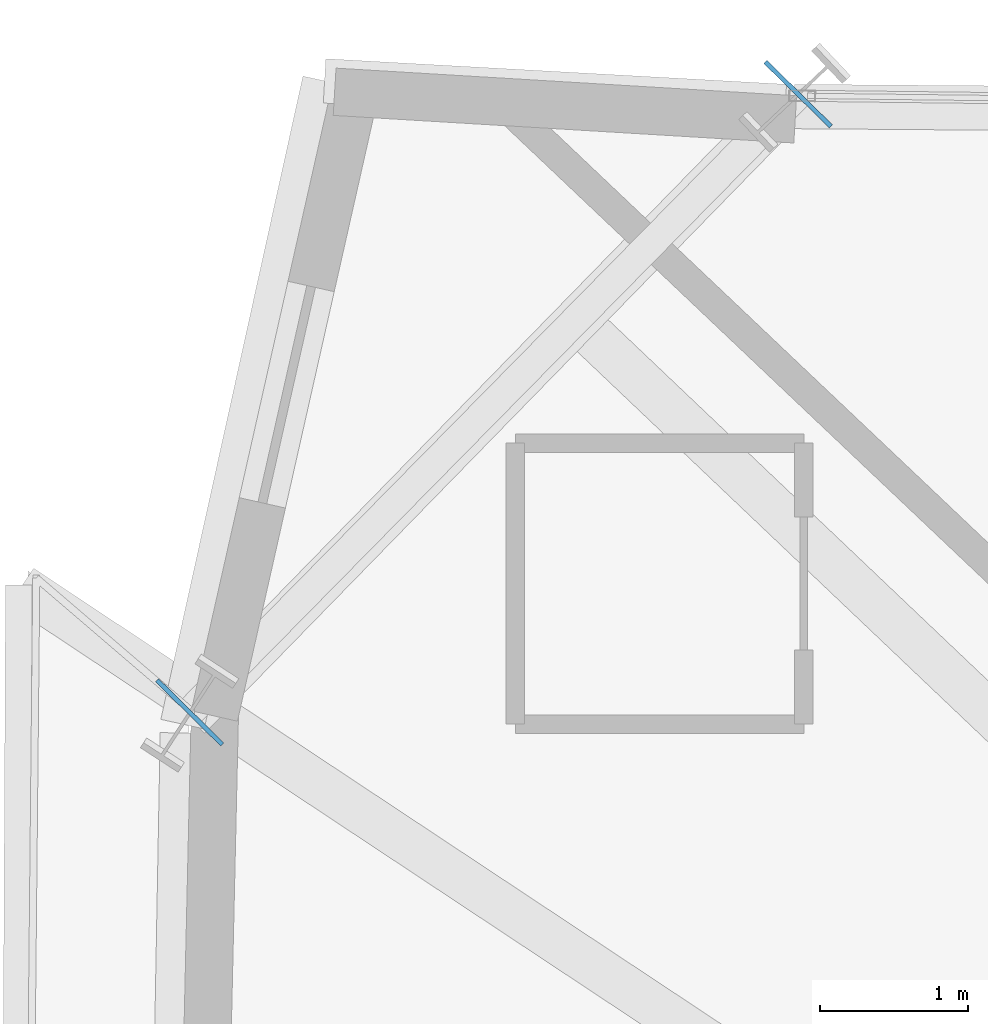
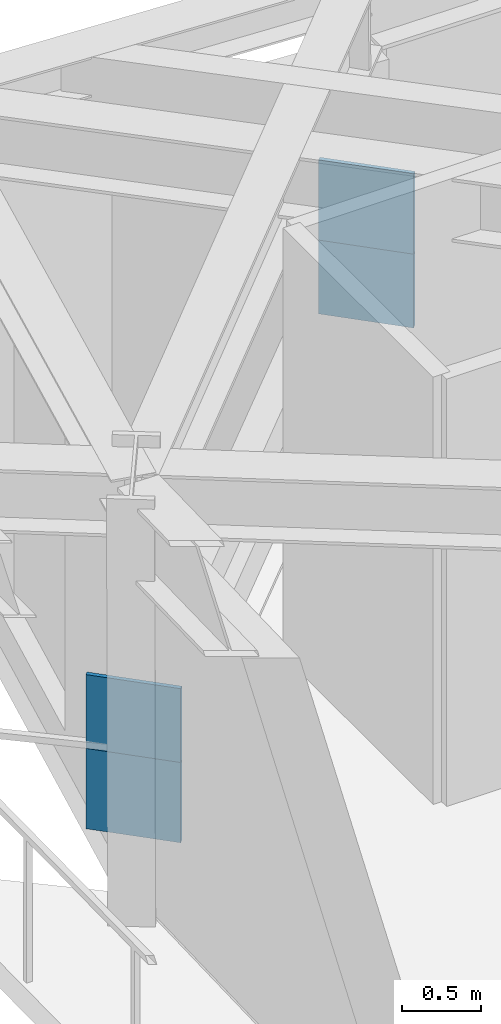
# One storey, part 12 of 21: 4 plates.
"""IFC4 building model written with IfcOpenShell, lengths in metres."""

from ifc_helpers import new_model, si_unit, direction, frame, origin, origin_2d, place, context, subcontext, project, spatial, rectangle, extrude, source, transform, mapped, material, type_object, element, save


model = new_model("IFC4")

# Units and contexts
model_context = context("Model", 3, precision=1e-05, world=origin(), true_north=direction((0.0, 1.0)))
body_context = subcontext(model_context, "Body", "Model", "MODEL_VIEW")
ifc_project = project(units=[si_unit("LENGTHUNIT", "METRE"), si_unit("AREAUNIT", "SQUARE_METRE"), si_unit("VOLUMEUNIT", "CUBIC_METRE"), si_unit("PLANEANGLEUNIT", "RADIAN"), si_unit("MASSUNIT", "GRAM", prefix="KILO")], contexts=[model_context])

# Site, building, storey
site_placement = place(None, origin())
site = spatial("IfcSite", under=ifc_project, at=site_placement, CompositionType="ELEMENT")
building_placement = place(site_placement, origin())
building = spatial("IfcBuilding", under=site, at=building_placement, Name="Olszyna Solenne Hotel", CompositionType="ELEMENT")
storey_placement = place(building_placement, frame((0.0, 0.0, 91.5)))
storey = spatial("IfcBuildingStorey", under=building, at=storey_placement, Name="L23", CompositionType="ELEMENT", Elevation=91.5)

# Plates
ifc_material = material(Name="Steel S460M", Category="steel")
plate_type = type_object("IfcPlateType", Name="GP-CAP2", PredefinedType="USERDEFINED", material=ifc_material)
shared_shape = source(origin(), body_context, "Body", "SweptSolid", [
    extrude(rectangle(XDim=0.030029296875, YDim=0.6201171875, at=origin_2d()), origin(), (0.0, 0.0, 1.0), 0.6201171875),
])
for number, where, z_axis, x_axis, name in (
    (1, (21.44091796875, 44.24169921875, 1.0400390625), (0.0, 0.0, 1.0), (-0.701531425771, -0.712638518925, 0.0), "Hollow section end-cap plate GP-CAP2 CP-PR-M-L23-PR1-1"),
    (2, (17.32666015625, 40.06201171875, 1.0400390625), (0.0, 0.0, 1.0), (-0.701531425771, -0.712638518925, 0.0), "Hollow section end-cap plate GP-CAP2 CP-PR-M-L23-PR1-2"),
    (3, (21.44091796875, 44.24169921875, 0.469970703125), (0.0, 0.0, 1.0), (-0.701531425771, -0.712638518925, 0.0), "Hollow section end-cap plate GP-CAP2 CP-PR-M-L23-PR2-1"),
    (4, (17.32666015625, 40.06201171875, 0.469970703125), (0.0, 0.0, 1.0), (-0.701531425771, -0.712638518925, 0.0), "Hollow section end-cap plate GP-CAP2 CP-PR-M-L23-PR2-2"),
):
    element("IfcPlate", number, at=place(storey_placement, frame(where, z_axis=z_axis, x_axis=x_axis)), inside=storey, type_object=plate_type, Name=name, ObjectType="GUSSET_PLATE", PredefinedType="USERDEFINED", context=body_context, shape_type="MappedRepresentation", body=[
        mapped(shared_shape, transform((0.0, 0.0, 0.0), x_axis=(1.0, 0.0, 0.0), y_axis=(0.0, 1.0, 0.0), z_axis=(0.0, 0.0, 1.0), scale=1.0)),
    ])

save(model, "model.ifc")
